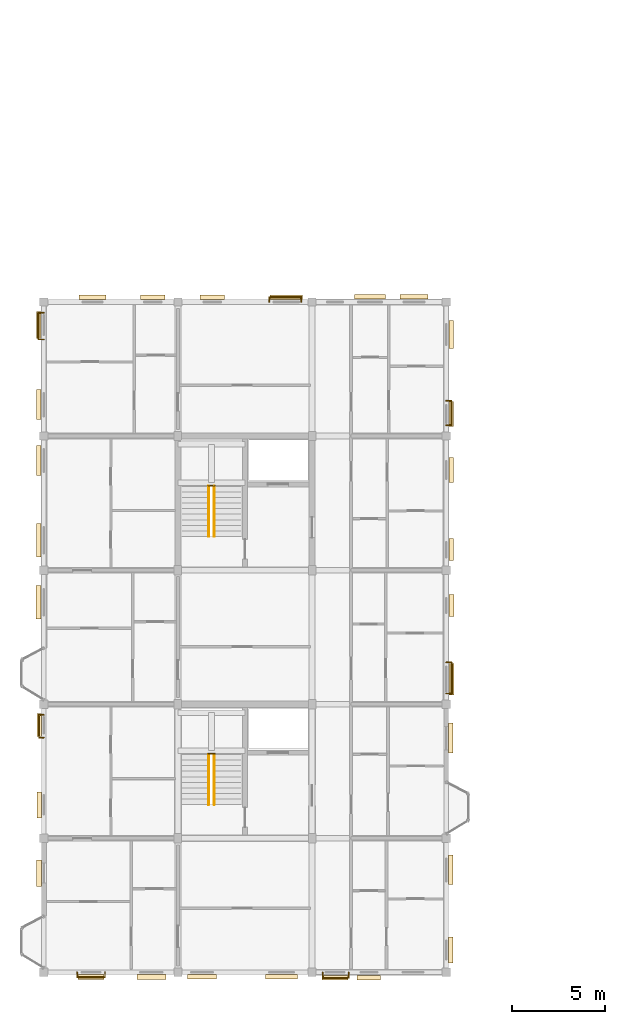
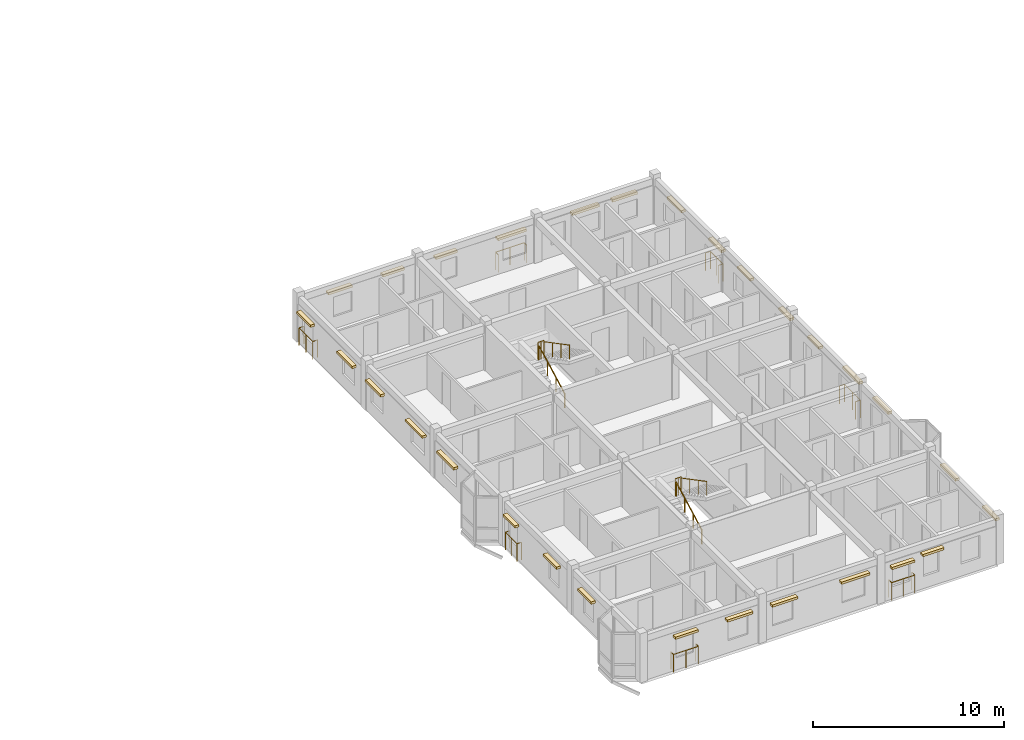
# One storey, part 27 of 28: 29 coverings, 13 railings.
"""IFC4 building model written with IfcOpenShell, lengths in metres."""

from ifc_helpers import new_model, si_unit, direction, frame, origin, origin_2d, place, context, subcontext, project, spatial, rectangle, circle, extrude, material, layer, layer_set, type_object, element, save


model = new_model("IFC4")

# Units and contexts
model_context = context("Model", 3, precision=1e-05, world=origin(), true_north=direction((0.0, 1.0)))
body_context = subcontext(model_context, "Body", "Model", "MODEL_VIEW")
ifc_project = project(units=[si_unit("LENGTHUNIT", "METRE"), si_unit("AREAUNIT", "SQUARE_METRE"), si_unit("VOLUMEUNIT", "CUBIC_METRE"), si_unit("PLANEANGLEUNIT", "RADIAN"), si_unit("MASSUNIT", "GRAM", prefix="KILO"), si_unit("THERMODYNAMICTEMPERATUREUNIT", "KELVIN"), si_unit("POWERUNIT", "WATT")], contexts=[model_context])

# Site, building, storey
site_placement = place(None, origin())
site = spatial("IfcSite", under=ifc_project, at=site_placement, CompositionType="ELEMENT")
building_placement = place(site_placement, origin())
building = spatial("IfcBuilding", under=site, at=building_placement, Name="Tavuni Mirador Residences", CompositionType="ELEMENT")
storey_placement = place(building_placement, frame((0.0, 0.0, 39.14990234375)))
storey = spatial("IfcBuildingStorey", under=building, at=storey_placement, Name="L12", CompositionType="ELEMENT", Elevation=39.14990234375)

# Coverings
ifc_material_1 = material(Name="Natural coral limestone", Category="masonry")
ifc_layer = layer(ifc_material_1, 0.054931640625, Name="Natural coral limestone", Category="masonry")
ifc_layer_set = layer_set([ifc_layer], Name="Natural coral limestone")
covering_type = type_object("IfcCoveringType", Name="CVT-CLAD-CORAL", PredefinedType="CLADDING", material=ifc_layer_set)
covering_1_placement = place(storey_placement, frame((6.132568359375, 6.950439453125, 2.1650390625), z_axis=(0.0, 0.0, 1.0), x_axis=(1.0, 0.0, 0.0)))
element("IfcCovering", 1, at=covering_1_placement, inside=storey, type_object=covering_type, Name="HOOD-0247", PredefinedType="CLADDING", context=body_context, shape_type="SweptSolid", body=[
    extrude(rectangle(XDim=1.39990234375, YDim=0.25, at=origin_2d()), origin(), (0.0, 0.0, 1.0), 0.14990234375),
])
for number, where, z_axis, x_axis, name in (
    (2, (9.367431640625, 6.950439453125, 2.1650390625), (0.0, 0.0, 1.0), (1.0, 0.0, 0.0), "HOOD-0248"),
    (3, (12.0849609375, 6.95556640625, 2.1650390625), (0.0, 0.0, 1.0), (1.0, 0.0, 0.0), "HOOD-0249"),
):
    element("IfcCovering", number, at=place(storey_placement, frame(where, z_axis=z_axis, x_axis=x_axis)), inside=storey, type_object=covering_type, Name=name, PredefinedType="CLADDING", context=body_context, shape_type="SweptSolid", body=[
        extrude(rectangle(XDim=1.56005859375, YDim=0.25, at=origin_2d()), origin(), (0.0, 0.0, 1.0), 0.14990234375),
    ])
covering_2_placement = place(storey_placement, frame((16.364990234375, 6.95556640625, 2.1650390625), z_axis=(0.0, 0.0, 1.0), x_axis=(1.0, 0.0, 0.0)))
element("IfcCovering", 4, at=covering_2_placement, inside=storey, type_object=covering_type, Name="HOOD-0250", PredefinedType="CLADDING", context=body_context, shape_type="SweptSolid", body=[
    extrude(rectangle(XDim=1.719970703125, YDim=0.25, at=origin_2d()), origin(), (0.0, 0.0, 1.0), 0.14990234375),
])
covering_3_placement = place(storey_placement, frame((19.232421875, 6.9130859375, 2.065185546875), z_axis=(0.0, 0.0, 1.0), x_axis=(1.0, 0.0, 0.0)))
element("IfcCovering", 5, at=covering_3_placement, inside=storey, type_object=covering_type, Name="HOOD-0251", PredefinedType="CLADDING", context=body_context, shape_type="SweptSolid", body=[
    extrude(rectangle(XDim=1.3798828125, YDim=0.25, at=origin_2d()), origin(), (0.0, 0.0, 1.0), 0.14990234375),
])
covering_4_placement = place(storey_placement, frame((21.050048828125, 6.9130859375, 2.2451171875), z_axis=(0.0, 0.0, 1.0), x_axis=(1.0, 0.0, 0.0)))
element("IfcCovering", 6, at=covering_4_placement, inside=storey, type_object=covering_type, Name="HOOD-0252", PredefinedType="CLADDING", context=body_context, shape_type="SweptSolid", body=[
    extrude(rectangle(XDim=1.280029296875, YDim=0.25, at=origin_2d()), origin(), (0.0, 0.0, 1.0), 0.14990234375),
])
covering_5_placement = place(storey_placement, frame((25.449462890625, 8.39990234375, 2.2451171875), z_axis=(0.0, 0.0, 1.0), x_axis=(0.0, 1.0, 0.0)))
element("IfcCovering", 7, at=covering_5_placement, inside=storey, type_object=covering_type, Name="HOOD-0253", PredefinedType="CLADDING", context=body_context, shape_type="SweptSolid", body=[
    extrude(rectangle(XDim=1.389892578125, YDim=0.25, at=origin_2d()), origin(), (0.0, 0.0, 1.0), 0.14990234375),
])
covering_6_placement = place(storey_placement, frame((25.449462890625, 12.699951171875, 2.2451171875), z_axis=(0.0, 0.0, 1.0), x_axis=(0.0, 1.0, 0.0)))
element("IfcCovering", 8, at=covering_6_placement, inside=storey, type_object=covering_type, Name="HOOD-0254", PredefinedType="CLADDING", context=body_context, shape_type="SweptSolid", body=[
    extrude(rectangle(XDim=1.590087890625, YDim=0.25, at=origin_2d()), origin(), (0.0, 0.0, 1.0), 0.14990234375),
])
covering_7_placement = place(storey_placement, frame((25.449462890625, 19.7724609375, 2.240234375), z_axis=(0.0, 0.0, 1.0), x_axis=(0.0, 1.0, 0.0)))
element("IfcCovering", 9, at=covering_7_placement, inside=storey, type_object=covering_type, Name="HOOD-0255", PredefinedType="CLADDING", context=body_context, shape_type="SweptSolid", body=[
    extrude(rectangle(XDim=1.610107421875, YDim=0.260009765625, at=origin_2d()), origin(), (0.0, 0.0, 1.0), 0.159912109375),
])
covering_8_placement = place(storey_placement, frame((25.487060546875, 22.949951171875, 2.2451171875), z_axis=(0.0, 0.0, 1.0), x_axis=(0.0, 1.0, 0.0)))
element("IfcCovering", 10, at=covering_8_placement, inside=storey, type_object=covering_type, Name="HOOD-0256", PredefinedType="CLADDING", context=body_context, shape_type="SweptSolid", body=[
    extrude(rectangle(XDim=1.68994140625, YDim=0.25, at=origin_2d()), origin(), (0.0, 0.0, 1.0), 0.14990234375),
])
for number, where, z_axis, x_axis, name in (
    (11, (25.487060546875, 26.89990234375, 1.955078125), (0.0, 0.0, 1.0), (0.0, 1.0, 0.0), "HOOD-0257"),
    (12, (25.4794921875, 29.89990234375, 1.955078125), (0.0, 0.0, 1.0), (0.0, 1.0, 0.0), "HOOD-0258"),
):
    element("IfcCovering", number, at=place(storey_placement, frame(where, z_axis=z_axis, x_axis=x_axis)), inside=storey, type_object=covering_type, Name=name, PredefinedType="CLADDING", context=body_context, shape_type="SweptSolid", body=[
        extrude(rectangle(XDim=1.18994140625, YDim=0.25, at=origin_2d()), origin(), (0.0, 0.0, 1.0), 0.14990234375),
    ])
for number, where, z_axis, x_axis, name in (
    (13, (25.4794921875, 34.175048828125, 1.955078125), (0.0, 0.0, 1.0), (0.0, 1.0, 0.0), "HOOD-0259"),
    (14, (25.474609375, 37.175048828125, 1.955078125), (0.0, 0.0, 1.0), (0.0, 1.0, 0.0), "HOOD-0260"),
):
    element("IfcCovering", number, at=place(storey_placement, frame(where, z_axis=z_axis, x_axis=x_axis)), inside=storey, type_object=covering_type, Name=name, PredefinedType="CLADDING", context=body_context, shape_type="SweptSolid", body=[
        extrude(rectangle(XDim=1.340087890625, YDim=0.25, at=origin_2d()), origin(), (0.0, 0.0, 1.0), 0.14990234375),
    ])
for number, where, z_axis, x_axis, name in (
    (15, (25.474609375, 41.455078125, 1.955078125), (0.0, 0.0, 1.0), (0.0, 1.0, 0.0), "HOOD-0261"),
    (16, (23.4775390625, 43.487060546875, 1.955078125), (0.0, 0.0, 1.0), (-1.0, 0.0, 0.0), "HOOD-0262"),
):
    element("IfcCovering", number, at=place(storey_placement, frame(where, z_axis=z_axis, x_axis=x_axis)), inside=storey, type_object=covering_type, Name=name, PredefinedType="CLADDING", context=body_context, shape_type="SweptSolid", body=[
        extrude(rectangle(XDim=1.5, YDim=0.25, at=origin_2d()), origin(), (0.0, 0.0, 1.0), 0.14990234375),
    ])
covering_9_placement = place(storey_placement, frame((21.110107421875, 43.487060546875, 1.955078125), z_axis=(0.0, 0.0, 1.0), x_axis=(-1.0, 0.0, 0.0)))
element("IfcCovering", 17, at=covering_9_placement, inside=storey, type_object=covering_type, Name="HOOD-0263", PredefinedType="CLADDING", context=body_context, shape_type="SweptSolid", body=[
    extrude(rectangle(XDim=1.659912109375, YDim=0.25, at=origin_2d()), origin(), (0.0, 0.0, 1.0), 0.14990234375),
])
covering_10_placement = place(storey_placement, frame((16.625, 43.444580078125, 1.955078125), z_axis=(0.0, 0.0, 1.0), x_axis=(-1.0, 0.0, 0.0)))
element("IfcCovering", 18, at=covering_10_placement, inside=storey, type_object=covering_type, Name="HOOD-0264", PredefinedType="CLADDING", context=body_context, shape_type="SweptSolid", body=[
    extrude(rectangle(XDim=1.739990234375, YDim=0.25, at=origin_2d()), origin(), (0.0, 0.0, 1.0), 0.14990234375),
])
for number, where, z_axis, x_axis, name in (
    (19, (12.64501953125, 43.444580078125, 2.065185546875), (0.0, 0.0, 1.0), (-1.0, 0.0, 0.0), "HOOD-0265"),
    (20, (9.447509765625, 43.449462890625, 2.065185546875), (0.0, 0.0, 1.0), (-1.0, 0.0, 0.0), "HOOD-0266"),
):
    element("IfcCovering", number, at=place(storey_placement, frame(where, z_axis=z_axis, x_axis=x_axis)), inside=storey, type_object=covering_type, Name=name, PredefinedType="CLADDING", context=body_context, shape_type="SweptSolid", body=[
        extrude(rectangle(XDim=1.300048828125, YDim=0.25, at=origin_2d()), origin(), (0.0, 0.0, 1.0), 0.14990234375),
    ])
for number, where, z_axis, x_axis, name in (
    (21, (6.21240234375, 43.449462890625, 2.065185546875), (0.0, 0.0, 1.0), (-1.0, 0.0, 0.0), "HOOD-0267"),
    (22, (3.325439453125, 41.965087890625, 2.065185546875), (0.0, 0.0, 1.0), (0.0, -1.0, 0.0), "HOOD-0268"),
):
    element("IfcCovering", number, at=place(storey_placement, frame(where, z_axis=z_axis, x_axis=x_axis)), inside=storey, type_object=covering_type, Name=name, PredefinedType="CLADDING", context=body_context, shape_type="SweptSolid", body=[
        extrude(rectangle(XDim=1.4599609375, YDim=0.25, at=origin_2d()), origin(), (0.0, 0.0, 1.0), 0.14990234375),
    ])
for number, where, z_axis, x_axis, name in (
    (23, (3.325439453125, 37.68505859375, 2.065185546875), (0.0, 0.0, 1.0), (0.0, -1.0, 0.0), "HOOD-0269"),
    (24, (3.320556640625, 34.68505859375, 2.065185546875), (0.0, 0.0, 1.0), (0.0, -1.0, 0.0), "HOOD-0270"),
):
    element("IfcCovering", number, at=place(storey_placement, frame(where, z_axis=z_axis, x_axis=x_axis)), inside=storey, type_object=covering_type, Name=name, PredefinedType="CLADDING", context=body_context, shape_type="SweptSolid", body=[
        extrude(rectangle(XDim=1.6201171875, YDim=0.25, at=origin_2d()), origin(), (0.0, 0.0, 1.0), 0.14990234375),
    ])
covering_11_placement = place(storey_placement, frame((3.320556640625, 30.405029296875, 2.065185546875), z_axis=(0.0, 0.0, 1.0), x_axis=(0.0, -1.0, 0.0)))
element("IfcCovering", 25, at=covering_11_placement, inside=storey, type_object=covering_type, Name="HOOD-0271", PredefinedType="CLADDING", context=body_context, shape_type="SweptSolid", body=[
    extrude(rectangle(XDim=1.780029296875, YDim=0.25, at=origin_2d()), origin(), (0.0, 0.0, 1.0), 0.14990234375),
])
covering_12_placement = place(storey_placement, frame((3.30810546875, 27.072509765625, 2.06005859375), z_axis=(0.0, 0.0, 1.0), x_axis=(0.0, -1.0, 0.0)))
element("IfcCovering", 26, at=covering_12_placement, inside=storey, type_object=covering_type, Name="HOOD-0272", PredefinedType="CLADDING", context=body_context, shape_type="SweptSolid", body=[
    extrude(rectangle(XDim=1.800048828125, YDim=0.260009765625, at=origin_2d()), origin(), (0.0, 0.0, 1.0), 0.159912109375),
])
covering_13_placement = place(storey_placement, frame((3.35546875, 20.47509765625, 2.1650390625), z_axis=(0.0, 0.0, 1.0), x_axis=(0.0, -1.0, 0.0)))
element("IfcCovering", 27, at=covering_13_placement, inside=storey, type_object=covering_type, Name="HOOD-0273", PredefinedType="CLADDING", context=body_context, shape_type="SweptSolid", body=[
    extrude(rectangle(XDim=1.239990234375, YDim=0.25, at=origin_2d()), origin(), (0.0, 0.0, 1.0), 0.14990234375),
])
covering_14_placement = place(storey_placement, frame((3.35546875, 16.195068359375, 2.1650390625), z_axis=(0.0, 0.0, 1.0), x_axis=(0.0, -1.0, 0.0)))
element("IfcCovering", 28, at=covering_14_placement, inside=storey, type_object=covering_type, Name="HOOD-0274", PredefinedType="CLADDING", context=body_context, shape_type="SweptSolid", body=[
    extrude(rectangle(XDim=1.39990234375, YDim=0.25, at=origin_2d()), origin(), (0.0, 0.0, 1.0), 0.14990234375),
])
covering_15_placement = place(storey_placement, frame((3.345458984375, 12.532470703125, 2.16015625), z_axis=(0.0, 0.0, 1.0), x_axis=(0.0, -1.0, 0.0)))
element("IfcCovering", 29, at=covering_15_placement, inside=storey, type_object=covering_type, Name="HOOD-0275", PredefinedType="CLADDING", context=body_context, shape_type="SweptSolid", body=[
    extrude(rectangle(XDim=1.419921875, YDim=0.260009765625, at=origin_2d()), origin(), (0.0, 0.0, 1.0), 0.159912109375),
])

# Railings
ifc_material_2 = material(Name="Structural steel S355", Category="steel")
railing_type_1 = type_object("IfcRailingType", Name="RT-BL1150", PredefinedType="BALUSTRADE", material=ifc_material_2)
railing_1_placement = place(storey_placement, frame((5.382568359375, 7.199951171875, 0.0400390625)))
element("IfcRailing", 30, at=railing_1_placement, inside=storey, type_object=railing_type_1, Name="BALC-BLK-A-L12-S00", PredefinedType="BALUSTRADE", context=body_context, shape_type="SweptSolid", body=[
    extrude(circle(Radius=0.02392578125, at=origin_2d()), frame((0.0, 0.0, 1.1259765625), z_axis=(0.0, -1.0, 0.0), x_axis=(1.0, 0.0, 0.0)), (0.0, 0.0, 1.0), 0.267333984375),
    extrude(circle(Radius=0.02392578125, at=origin_2d()), frame((0.0, -0.267333984375, 1.1259765625), z_axis=(1.0, 0.0, 0.0), x_axis=(0.0, 1.0, 0.0)), (0.0, 0.0, 1.0), 1.5),
    extrude(circle(Radius=0.02392578125, at=origin_2d()), frame((1.5, -0.267333984375, 1.1259765625), z_axis=(0.0, 1.0, 0.0), x_axis=(-1.0, 0.0, 0.0)), (0.0, 0.0, 1.0), 0.267333984375),
    extrude(circle(Radius=0.02099609375, at=origin_2d()), origin(), (0.0, 0.0, 1.0), 1.101806640625),
    extrude(circle(Radius=0.02099609375, at=origin_2d()), frame((0.0, -0.267333984375, 0.0)), (0.0, 0.0, 1.0), 1.101806640625),
    extrude(circle(Radius=0.02099609375, at=origin_2d()), frame((0.75, -0.267333984375, 0.0)), (0.0, 0.0, 1.0), 1.101806640625),
    extrude(circle(Radius=0.02099609375, at=origin_2d()), frame((1.5, -0.267333984375, 0.0)), (0.0, 0.0, 1.0), 1.101806640625),
    extrude(circle(Radius=0.02099609375, at=origin_2d()), frame((1.5, 0.0, 0.0)), (0.0, 0.0, 1.0), 1.101806640625),
])
railing_2_placement = place(storey_placement, frame((18.574951171875, 7.199951171875, 0.0400390625)))
element("IfcRailing", 31, at=railing_2_placement, inside=storey, type_object=railing_type_1, Name="BALC-BLK-A-L12-S02", PredefinedType="BALUSTRADE", context=body_context, shape_type="SweptSolid", body=[
    extrude(circle(Radius=0.02392578125, at=origin_2d()), frame((0.0, 0.0, 1.1259765625), z_axis=(0.0, -1.0, 0.0), x_axis=(1.0, 0.0, 0.0)), (0.0, 0.0, 1.0), 0.304931640625),
    extrude(circle(Radius=0.02392578125, at=origin_2d()), frame((0.0, -0.304931640625, 1.1259765625), z_axis=(1.0, 0.0, 0.0), x_axis=(0.0, 1.0, 0.0)), (0.0, 0.0, 1.0), 1.3974609375),
    extrude(circle(Radius=0.02392578125, at=origin_2d()), frame((1.3974609375, -0.304931640625, 1.1259765625), z_axis=(0.0, 1.0, 0.0), x_axis=(-1.0, 0.0, 0.0)), (0.0, 0.0, 1.0), 0.304931640625),
    extrude(circle(Radius=0.02099609375, at=origin_2d()), origin(), (0.0, 0.0, 1.0), 1.101806640625),
    extrude(circle(Radius=0.02099609375, at=origin_2d()), frame((0.0, -0.304931640625, 0.0)), (0.0, 0.0, 1.0), 1.101806640625),
    extrude(circle(Radius=0.02099609375, at=origin_2d()), frame((0.69873046875, -0.304931640625, 0.0)), (0.0, 0.0, 1.0), 1.101806640625),
    extrude(circle(Radius=0.02099609375, at=origin_2d()), frame((1.3974609375, -0.304931640625, 0.0)), (0.0, 0.0, 1.0), 1.101806640625),
    extrude(circle(Radius=0.02099609375, at=origin_2d()), frame((1.3974609375, 0.0, 0.0)), (0.0, 0.0, 1.0), 1.101806640625),
])
railing_3_placement = place(storey_placement, frame((25.199951171875, 22.175048828125, 0.0400390625)))
element("IfcRailing", 32, at=railing_3_placement, inside=storey, type_object=railing_type_1, Name="BALC-BLK-A-L12-E02", PredefinedType="BALUSTRADE", context=body_context, shape_type="SweptSolid", body=[
    extrude(circle(Radius=0.02392578125, at=origin_2d()), frame((0.0, 0.0, 1.1259765625), z_axis=(1.0, 0.0, 0.0), x_axis=(0.0, 1.0, 0.0)), (0.0, 0.0, 1.0), 0.304931640625),
    extrude(circle(Radius=0.02392578125, at=origin_2d()), frame((0.304931640625, 0.0, 1.1259765625), z_axis=(0.0, 1.0, 0.0), x_axis=(-1.0, 0.0, 0.0)), (0.0, 0.0, 1.0), 1.669921875),
    extrude(circle(Radius=0.02392578125, at=origin_2d()), frame((0.304931640625, 1.669921875, 1.1259765625), z_axis=(-1.0, 0.0, 0.0), x_axis=(0.0, -1.0, 0.0)), (0.0, 0.0, 1.0), 0.304931640625),
    extrude(circle(Radius=0.02099609375, at=origin_2d()), origin(), (0.0, 0.0, 1.0), 1.101806640625),
    extrude(circle(Radius=0.02099609375, at=origin_2d()), frame((0.304931640625, 0.0, 0.0)), (0.0, 0.0, 1.0), 1.101806640625),
    extrude(circle(Radius=0.02099609375, at=origin_2d()), frame((0.304931640625, 0.8349609375, 0.0)), (0.0, 0.0, 1.0), 1.101806640625),
    extrude(circle(Radius=0.02099609375, at=origin_2d()), frame((0.304931640625, 1.669921875, 0.0)), (0.0, 0.0, 1.0), 1.101806640625),
    extrude(circle(Radius=0.02099609375, at=origin_2d()), frame((0.0, 1.669921875, 0.0)), (0.0, 0.0, 1.0), 1.101806640625),
])
railing_4_placement = place(storey_placement, frame((25.199951171875, 36.574951171875, 0.0400390625)))
element("IfcRailing", 33, at=railing_4_placement, inside=storey, type_object=railing_type_1, Name="BALC-BLK-A-L12-E04", PredefinedType="BALUSTRADE", context=body_context, shape_type="SweptSolid", body=[
    extrude(circle(Radius=0.02392578125, at=origin_2d()), frame((0.0, 0.0, 1.1259765625), z_axis=(1.0, 0.0, 0.0), x_axis=(0.0, 1.0, 0.0)), (0.0, 0.0, 1.0), 0.29248046875),
    extrude(circle(Radius=0.02392578125, at=origin_2d()), frame((0.29248046875, 0.0, 1.1259765625), z_axis=(0.0, 1.0, 0.0), x_axis=(-1.0, 0.0, 0.0)), (0.0, 0.0, 1.0), 1.320068359375),
    extrude(circle(Radius=0.02392578125, at=origin_2d()), frame((0.29248046875, 1.320068359375, 1.1259765625), z_axis=(-1.0, 0.0, 0.0), x_axis=(0.0, -1.0, 0.0)), (0.0, 0.0, 1.0), 0.29248046875),
    extrude(circle(Radius=0.02099609375, at=origin_2d()), origin(), (0.0, 0.0, 1.0), 1.101806640625),
    extrude(circle(Radius=0.02099609375, at=origin_2d()), frame((0.29248046875, 0.0, 0.0)), (0.0, 0.0, 1.0), 1.101806640625),
    extrude(circle(Radius=0.02099609375, at=origin_2d()), frame((0.29248046875, 0.66015625, 0.0)), (0.0, 0.0, 1.0), 1.101806640625),
    extrude(circle(Radius=0.02099609375, at=origin_2d()), frame((0.29248046875, 1.320068359375, 0.0)), (0.0, 0.0, 1.0), 1.101806640625),
    extrude(circle(Radius=0.02099609375, at=origin_2d()), frame((0.0, 1.320068359375, 0.0)), (0.0, 0.0, 1.0), 1.101806640625),
])
railing_5_placement = place(storey_placement, frame((17.425048828125, 43.199951171875, 0.0400390625)))
element("IfcRailing", 34, at=railing_5_placement, inside=storey, type_object=railing_type_1, Name="BALC-BLK-A-L12-N01", PredefinedType="BALUSTRADE", context=body_context, shape_type="SweptSolid", body=[
    extrude(circle(Radius=0.02392578125, at=origin_2d()), frame((0.0, 0.0, 1.1259765625), z_axis=(0.0, 1.0, 0.0), x_axis=(-1.0, 0.0, 0.0)), (0.0, 0.0, 1.0), 0.262451171875),
    extrude(circle(Radius=0.02392578125, at=origin_2d()), frame((0.0, 0.262451171875, 1.1259765625), z_axis=(-1.0, 0.0, 0.0), x_axis=(0.0, -1.0, 0.0)), (0.0, 0.0, 1.0), 1.719970703125),
    extrude(circle(Radius=0.02392578125, at=origin_2d()), frame((-1.719970703125, 0.262451171875, 1.1259765625), z_axis=(0.0, -1.0, 0.0), x_axis=(1.0, 0.0, 0.0)), (0.0, 0.0, 1.0), 0.262451171875),
    extrude(circle(Radius=0.02099609375, at=origin_2d()), origin(), (0.0, 0.0, 1.0), 1.101806640625),
    extrude(circle(Radius=0.02099609375, at=origin_2d()), frame((0.0, 0.262451171875, 0.0)), (0.0, 0.0, 1.0), 1.101806640625),
    extrude(circle(Radius=0.02099609375, at=origin_2d()), frame((-0.85986328125, 0.262451171875, 0.0)), (0.0, 0.0, 1.0), 1.101806640625),
    extrude(circle(Radius=0.02099609375, at=origin_2d()), frame((-1.719970703125, 0.262451171875, 0.0)), (0.0, 0.0, 1.0), 1.101806640625),
    extrude(circle(Radius=0.02099609375, at=origin_2d()), frame((-1.719970703125, 0.0, 0.0)), (0.0, 0.0, 1.0), 1.101806640625),
])
railing_6_placement = place(storey_placement, frame((3.60009765625, 42.625, 0.0400390625)))
element("IfcRailing", 35, at=railing_6_placement, inside=storey, type_object=railing_type_1, Name="BALC-BLK-A-L12-W04", PredefinedType="BALUSTRADE", context=body_context, shape_type="SweptSolid", body=[
    extrude(circle(Radius=0.02392578125, at=origin_2d()), frame((0.0, 0.0, 1.1259765625), z_axis=(-1.0, 0.0, 0.0), x_axis=(0.0, -1.0, 0.0)), (0.0, 0.0, 1.0), 0.29248046875),
    extrude(circle(Radius=0.02392578125, at=origin_2d()), frame((-0.29248046875, 0.0, 1.1259765625), z_axis=(0.0, -1.0, 0.0), x_axis=(1.0, 0.0, 0.0)), (0.0, 0.0, 1.0), 1.43994140625),
    extrude(circle(Radius=0.02392578125, at=origin_2d()), frame((-0.29248046875, -1.43994140625, 1.1259765625), z_axis=(1.0, 0.0, 0.0), x_axis=(0.0, 1.0, 0.0)), (0.0, 0.0, 1.0), 0.29248046875),
    extrude(circle(Radius=0.02099609375, at=origin_2d()), origin(), (0.0, 0.0, 1.0), 1.101806640625),
    extrude(circle(Radius=0.02099609375, at=origin_2d()), frame((-0.29248046875, 0.0, 0.0)), (0.0, 0.0, 1.0), 1.101806640625),
    extrude(circle(Radius=0.02099609375, at=origin_2d()), frame((-0.29248046875, -0.719970703125, 0.0)), (0.0, 0.0, 1.0), 1.101806640625),
    extrude(circle(Radius=0.02099609375, at=origin_2d()), frame((-0.29248046875, -1.43994140625, 0.0)), (0.0, 0.0, 1.0), 1.101806640625),
    extrude(circle(Radius=0.02099609375, at=origin_2d()), frame((0.0, -1.43994140625, 0.0)), (0.0, 0.0, 1.0), 1.101806640625),
])
railing_7_placement = place(storey_placement, frame((3.60009765625, 21.02490234375, 0.0400390625)))
element("IfcRailing", 36, at=railing_7_placement, inside=storey, type_object=railing_type_1, Name="BALC-BLK-A-L12-W01", PredefinedType="BALUSTRADE", context=body_context, shape_type="SweptSolid", body=[
    extrude(circle(Radius=0.02392578125, at=origin_2d()), frame((0.0, 0.0, 1.1259765625), z_axis=(-1.0, 0.0, 0.0), x_axis=(0.0, -1.0, 0.0)), (0.0, 0.0, 1.0), 0.2626953125),
    extrude(circle(Radius=0.02392578125, at=origin_2d()), frame((-0.2626953125, 0.0, 1.1259765625), z_axis=(0.0, -1.0, 0.0), x_axis=(1.0, 0.0, 0.0)), (0.0, 0.0, 1.0), 1.219970703125),
    extrude(circle(Radius=0.02392578125, at=origin_2d()), frame((-0.2626953125, -1.219970703125, 1.1259765625), z_axis=(1.0, 0.0, 0.0), x_axis=(0.0, 1.0, 0.0)), (0.0, 0.0, 1.0), 0.2626953125),
    extrude(circle(Radius=0.02099609375, at=origin_2d()), origin(), (0.0, 0.0, 1.0), 1.101806640625),
    extrude(circle(Radius=0.02099609375, at=origin_2d()), frame((-0.2626953125, 0.0, 0.0)), (0.0, 0.0, 1.0), 1.101806640625),
    extrude(circle(Radius=0.02099609375, at=origin_2d()), frame((-0.2626953125, -0.60986328125, 0.0)), (0.0, 0.0, 1.0), 1.101806640625),
    extrude(circle(Radius=0.02099609375, at=origin_2d()), frame((-0.2626953125, -1.219970703125, 0.0)), (0.0, 0.0, 1.0), 1.101806640625),
    extrude(circle(Radius=0.02099609375, at=origin_2d()), frame((0.0, -1.219970703125, 0.0)), (0.0, 0.0, 1.0), 1.101806640625),
])
railing_type_2 = type_object("IfcRailingType", Name="RT-GR1120", PredefinedType="GUARDRAIL", material=ifc_material_2)
for number, where, name in (
    (37, (12.419921875, 18.93994140625, 1.5751953125), "GRD-HL-ST1-L12"),
    (38, (12.419921875, 33.340087890625, 1.5751953125), "GRD-HL-ST2-L12"),
):
    element("IfcRailing", number, at=place(storey_placement, frame(where)), inside=storey, type_object=railing_type_2, Name=name, PredefinedType="GUARDRAIL", context=body_context, shape_type="SweptSolid", body=[
        extrude(circle(Radius=0.02392578125, at=origin_2d()), frame((0.0, 0.0, 1.09619140625), z_axis=(1.0, 0.0, 0.0), x_axis=(0.0, 1.0, 0.0)), (0.0, 0.0, 1.0), 0.360107421875),
        extrude(circle(Radius=0.02099609375, at=origin_2d()), origin(), (0.0, 0.0, 1.0), 1.072021484375),
        extrude(circle(Radius=0.02099609375, at=origin_2d()), frame((0.18017578125, 0.0, 0.0)), (0.0, 0.0, 1.0), 1.072021484375),
        extrude(circle(Radius=0.02099609375, at=origin_2d()), frame((0.360107421875, 0.0, 0.0)), (0.0, 0.0, 1.0), 1.072021484375),
    ])
railing_type_3 = type_object("IfcRailingType", Name="RT-HR920", PredefinedType="HANDRAIL", material=ifc_material_2)
railing_8_placement = place(storey_placement, frame((12.449951171875, 16.199951171875, 0.15771484375)))
element("IfcRailing", 39, at=railing_8_placement, inside=storey, type_object=railing_type_3, Name="HR-ST1-L12-F1", PredefinedType="HANDRAIL", context=body_context, shape_type="SweptSolid", body=[
    extrude(circle(Radius=0.02392578125, at=origin_2d()), frame((0.0, 0.0, 0.89599609375), z_axis=(0.0, 0.885397079081, 0.464835468048), x_axis=(-1.0, 0.0, 0.0)), (0.0, 0.0, 1.0), 3.04931640625),
    extrude(circle(Radius=0.02099609375, at=origin_2d()), origin(), (0.0, 0.0, 1.0), 0.871826171875),
    extrude(circle(Radius=0.02099609375, at=origin_2d()), frame((0.0, 0.89990234375, 0.472412109375)), (0.0, 0.0, 1.0), 0.871826171875),
    extrude(circle(Radius=0.02099609375, at=origin_2d()), frame((0.0, 1.800048828125, 0.945068359375)), (0.0, 0.0, 1.0), 0.871826171875),
    extrude(circle(Radius=0.02099609375, at=origin_2d()), frame((0.0, 2.699951171875, 1.41748046875)), (0.0, 0.0, 1.0), 0.871826171875),
])
railing_9_placement = place(storey_placement, frame((12.75, 18.89990234375, 1.732666015625)))
element("IfcRailing", 40, at=railing_9_placement, inside=storey, type_object=railing_type_3, Name="HR-ST1-L12-F2", PredefinedType="HANDRAIL", context=body_context, shape_type="SweptSolid", body=[
    extrude(circle(Radius=0.02392578125, at=origin_2d()), frame((0.0, 0.0, 0.89599609375), z_axis=(0.0, -0.885397079081, 0.464835468048), x_axis=(1.0, 0.0, 0.0)), (0.0, 0.0, 1.0), 3.04931640625),
    extrude(circle(Radius=0.02099609375, at=origin_2d()), origin(), (0.0, 0.0, 1.0), 0.871826171875),
    extrude(circle(Radius=0.02099609375, at=origin_2d()), frame((0.0, -0.89990234375, 0.472412109375)), (0.0, 0.0, 1.0), 0.871826171875),
    extrude(circle(Radius=0.02099609375, at=origin_2d()), frame((0.0, -1.800048828125, 0.945068359375)), (0.0, 0.0, 1.0), 0.871826171875),
    extrude(circle(Radius=0.02099609375, at=origin_2d()), frame((0.0, -2.699951171875, 1.41748046875)), (0.0, 0.0, 1.0), 0.871826171875),
])
railing_10_placement = place(storey_placement, frame((12.449951171875, 30.60009765625, 0.15771484375)))
element("IfcRailing", 41, at=railing_10_placement, inside=storey, type_object=railing_type_3, Name="HR-ST2-L12-F1", PredefinedType="HANDRAIL", context=body_context, shape_type="SweptSolid", body=[
    extrude(circle(Radius=0.02392578125, at=origin_2d()), frame((0.0, 0.0, 0.89599609375), z_axis=(0.0, 0.885397079081, 0.464835468048), x_axis=(-1.0, 0.0, 0.0)), (0.0, 0.0, 1.0), 3.04931640625),
    extrude(circle(Radius=0.02099609375, at=origin_2d()), origin(), (0.0, 0.0, 1.0), 0.871826171875),
    extrude(circle(Radius=0.02099609375, at=origin_2d()), frame((0.0, 0.89990234375, 0.472412109375)), (0.0, 0.0, 1.0), 0.871826171875),
    extrude(circle(Radius=0.02099609375, at=origin_2d()), frame((0.0, 1.800048828125, 0.945068359375)), (0.0, 0.0, 1.0), 0.871826171875),
    extrude(circle(Radius=0.02099609375, at=origin_2d()), frame((0.0, 2.699951171875, 1.41748046875)), (0.0, 0.0, 1.0), 0.871826171875),
])
railing_11_placement = place(storey_placement, frame((12.75, 33.300048828125, 1.732666015625)))
element("IfcRailing", 42, at=railing_11_placement, inside=storey, type_object=railing_type_3, Name="HR-ST2-L12-F2", PredefinedType="HANDRAIL", context=body_context, shape_type="SweptSolid", body=[
    extrude(circle(Radius=0.02392578125, at=origin_2d()), frame((0.0, 0.0, 0.89599609375), z_axis=(0.0, -0.885397079081, 0.464835468048), x_axis=(1.0, 0.0, 0.0)), (0.0, 0.0, 1.0), 3.04931640625),
    extrude(circle(Radius=0.02099609375, at=origin_2d()), origin(), (0.0, 0.0, 1.0), 0.871826171875),
    extrude(circle(Radius=0.02099609375, at=origin_2d()), frame((0.0, -0.89990234375, 0.472412109375)), (0.0, 0.0, 1.0), 0.871826171875),
    extrude(circle(Radius=0.02099609375, at=origin_2d()), frame((0.0, -1.800048828125, 0.945068359375)), (0.0, 0.0, 1.0), 0.871826171875),
    extrude(circle(Radius=0.02099609375, at=origin_2d()), frame((0.0, -2.699951171875, 1.41748046875)), (0.0, 0.0, 1.0), 0.871826171875),
])

save(model, "model.ifc")
